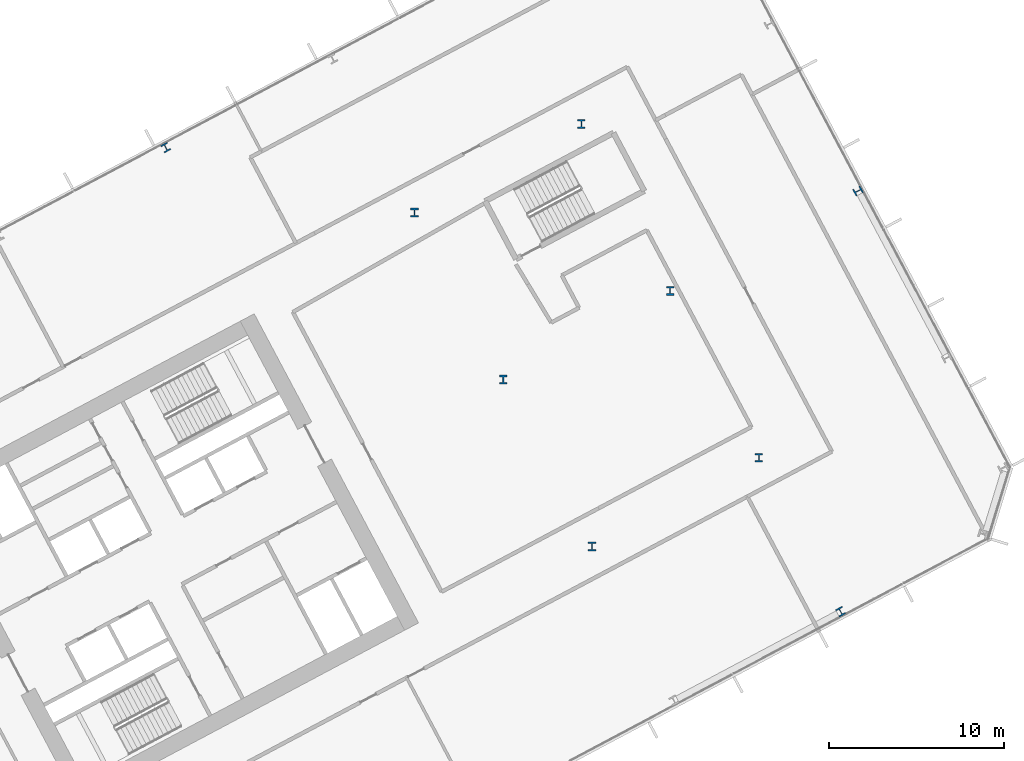
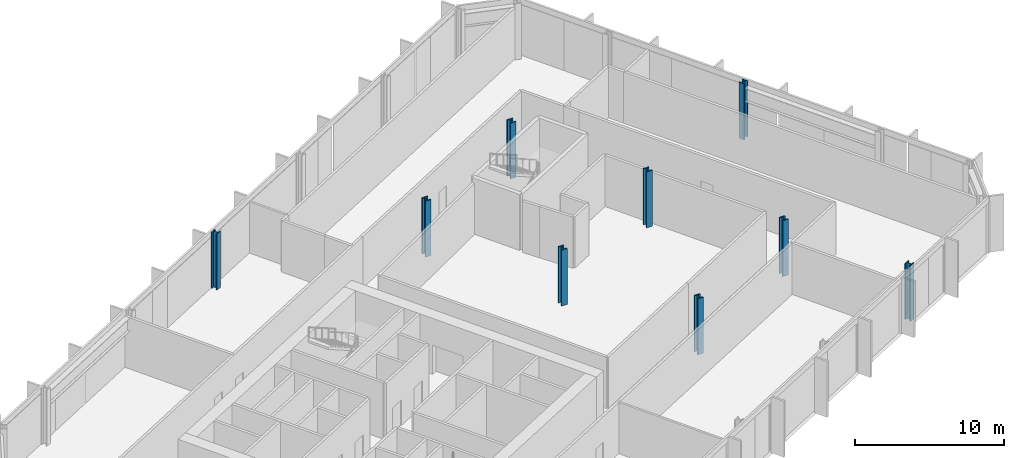
# One storey, part 4 of 30: 9 columns.
"""IFC4 building model written with IfcOpenShell, lengths in metres."""

from ifc_helpers import new_model, si_unit, direction, frame, origin, origin_2d, place, context, subcontext, project, spatial, i_section, extrude, material, material_profile, profile_set, type_object, element, save


model = new_model("IFC4")

# Units and contexts
model_context = context("Model", 3, precision=1e-05, world=origin(), true_north=direction((0.0, 1.0)))
body_context = subcontext(model_context, "Body", "Model", "MODEL_VIEW")
ifc_project = project(units=[si_unit("LENGTHUNIT", "METRE"), si_unit("AREAUNIT", "SQUARE_METRE"), si_unit("VOLUMEUNIT", "CUBIC_METRE"), si_unit("PLANEANGLEUNIT", "RADIAN"), si_unit("MASSUNIT", "GRAM", prefix="KILO")], contexts=[model_context])

# Site, building, storey
site_placement = place(None, origin())
site = spatial("IfcSite", under=ifc_project, at=site_placement, CompositionType="ELEMENT")
building_placement = place(site_placement, origin())
building = spatial("IfcBuilding", under=site, at=building_placement, Name="Cormorant Relay Tower", CompositionType="ELEMENT")
storey_placement = place(building_placement, frame((0.0, 0.0, 80.0)))
storey = spatial("IfcBuildingStorey", under=building, at=storey_placement, Name="L15", CompositionType="ELEMENT", Elevation=80.0)

# Columns
ifc_material_1 = material(Name="Steel ASTM A992 (Fy 345 MPa)", Category="steel")
ifc_material_profile_1 = material_profile(ifc_material_1, i_section(OverallWidth=0.42431640625, OverallDepth=0.47509765625, WebThickness=0.0478515625, FlangeThickness=0.0771484375, FilletRadius=0.014892578125, at=origin_2d()), Name="W360x634")
ifc_profile_set_1 = profile_set([ifc_material_profile_1], Name="Steel ASTM A992 (Fy 345 MPa)")
column_type_1 = type_object("IfcColumnType", Name="Column W360x634", PredefinedType="COLUMN", material=ifc_profile_set_1)
for number, where, z_axis, x_axis, name in (
    (1, (62.3701171875, 9.65087890625, 0.0), (0.0, 0.0, 1.0), (0.882947592859, 0.469471562786, 0.0), "Column L15-020"),
    (2, (63.360107421875, 33.68896484375, 0.0), (0.0, 0.0, 1.0), (-0.469471562786, 0.882947592859, 0.0), "Column L15-042"),
    (3, (23.805908203125, 36.169921875, 0.0), (0.0, 0.0, 1.0), (-0.882947592859, -0.469471562786, 0.0), "Column L15-044"),
):
    element("IfcColumn", number, at=place(storey_placement, frame(where, z_axis=z_axis, x_axis=x_axis)), inside=storey, type_object=column_type_1, Name=name, PredefinedType="COLUMN", context=body_context, shape_type="SweptSolid", body=[
        extrude(i_section(OverallWidth=0.42431640625, OverallDepth=0.47509765625, WebThickness=0.0478515625, FlangeThickness=0.0771484375, FilletRadius=0.014892578125, at=origin_2d()), origin(), (0.0, 0.0, 1.0), 4.60009765625),
    ])
ifc_material_2 = material(Name="Steel ASTM A992 (Fy 345 MPa)", Category="steel")
ifc_material_profile_2 = material_profile(ifc_material_2, i_section(OverallWidth=0.43701171875, OverallDepth=0.51318359375, WebThickness=0.060546875, FlangeThickness=0.096923828125, FilletRadius=0.015380859375, at=origin_2d()), Name="W360x818")
ifc_profile_set_2 = profile_set([ifc_material_profile_2], Name="Steel ASTM A992 (Fy 345 MPa)")
column_type_2 = type_object("IfcColumnType", Name="Column W360x818", PredefinedType="COLUMN", material=ifc_profile_set_2)
for number, where, z_axis, x_axis, name in (
    (4, (48.157958984375, 13.3740234375, 0.0), (0.0, 0.0, 1.0), (1.0, 0.0, 0.0), "Column L15-025"),
    (5, (57.694091796875, 18.445068359375, 0.0), (0.0, 0.0, 1.0), (1.0, 0.0, 0.0), "Column L15-029"),
    (6, (43.087890625, 22.909912109375, 0.0), (0.0, 0.0, 1.0), (1.0, 0.0, 0.0), "Column L15-031"),
    (7, (52.6240234375, 27.98095703125, 0.0), (0.0, 0.0, 1.0), (1.0, 0.0, 0.0), "Column L15-037"),
    (8, (38.01806640625, 32.446044921875, 0.0), (0.0, 0.0, 1.0), (1.0, 0.0, 0.0), "Column L15-040"),
    (9, (47.552978515625, 37.51611328125, 0.0), (0.0, 0.0, 1.0), (1.0, 0.0, 0.0), "Column L15-045"),
):
    element("IfcColumn", number, at=place(storey_placement, frame(where, z_axis=z_axis, x_axis=x_axis)), inside=storey, type_object=column_type_2, Name=name, PredefinedType="COLUMN", context=body_context, shape_type="SweptSolid", body=[
        extrude(i_section(OverallWidth=0.43701171875, OverallDepth=0.51318359375, WebThickness=0.060546875, FlangeThickness=0.096923828125, FilletRadius=0.015380859375, at=origin_2d()), origin(), (0.0, 0.0, 1.0), 4.60009765625),
    ])

save(model, "model.ifc")
